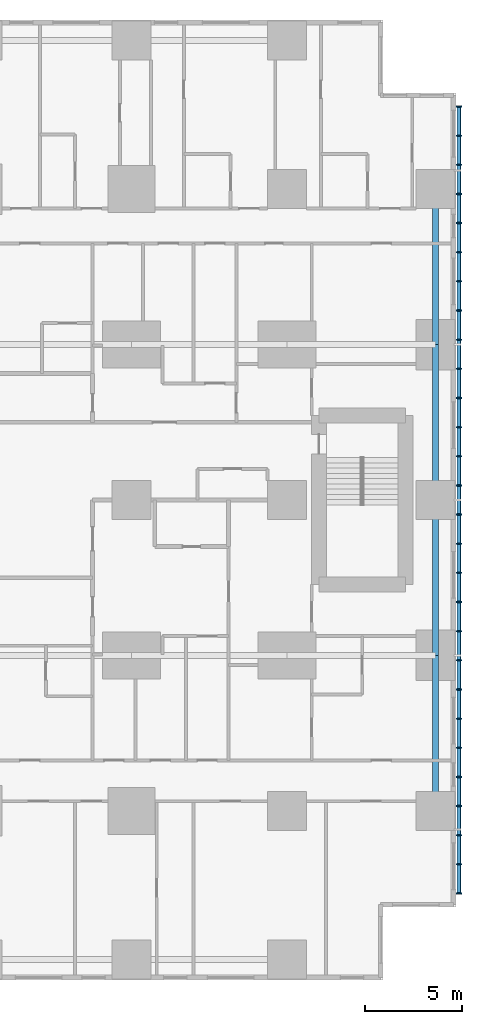
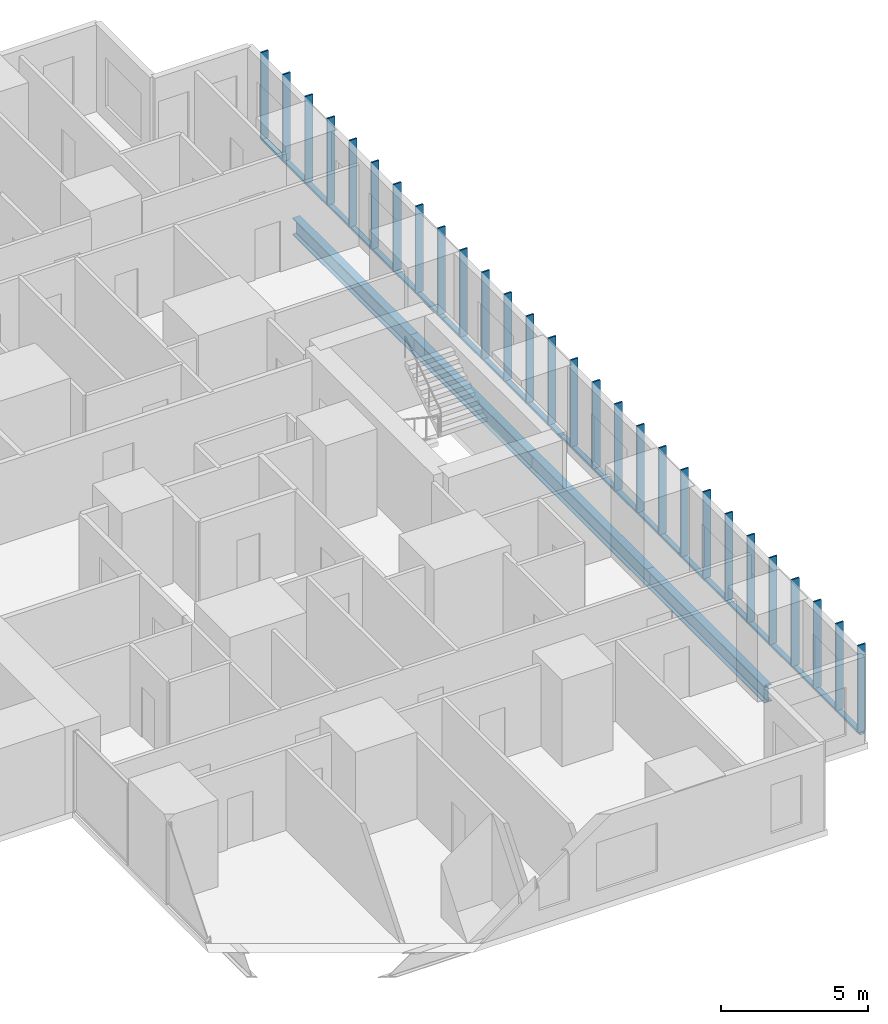
# One storey, part 6 of 21: 32 members, 4 beams.
"""IFC4 building model written with IfcOpenShell, lengths in metres."""

from ifc_helpers import new_model, si_unit, direction, frame, origin, origin_2d, place, context, subcontext, project, spatial, rectangle, hollow_rectangle, i_section, extrude, material, material_profile, profile_set, type_object, element, save


model = new_model("IFC4")

# Units and contexts
model_context = context("Model", 3, precision=1e-05, world=origin(), true_north=direction((0.0, 1.0)))
body_context = subcontext(model_context, "Body", "Model", "MODEL_VIEW")
ifc_project = project(units=[si_unit("LENGTHUNIT", "METRE"), si_unit("AREAUNIT", "SQUARE_METRE"), si_unit("VOLUMEUNIT", "CUBIC_METRE"), si_unit("PLANEANGLEUNIT", "RADIAN"), si_unit("MASSUNIT", "GRAM", prefix="KILO")], contexts=[model_context])

# Site, building, storey
site_placement = place(None, origin())
site = spatial("IfcSite", under=ifc_project, at=site_placement, CompositionType="ELEMENT")
building_placement = place(site_placement, origin())
building = spatial("IfcBuilding", under=site, at=building_placement, Name="Cleftline Residences", CompositionType="ELEMENT")
storey_placement = place(building_placement, frame((0.0, 0.0, 58.39990234375)))
storey = spatial("IfcBuildingStorey", under=building, at=storey_placement, Name="L14", CompositionType="ELEMENT", Elevation=58.39990234375)

# Members
ifc_material_1 = material(Name="Steel S355, hot-dip galvanised", Category="steel")
ifc_material_profile_1 = material_profile(ifc_material_1, hollow_rectangle(XDim=0.10009765625, YDim=0.199951171875, WallThickness=0.008056640625, InnerFilletRadius=0.008056640625, OuterFilletRadius=0.011962890625, at=origin_2d()))
ifc_profile_set_1 = profile_set([ifc_material_profile_1], Name="Steel S355, hot-dip galvanised")
member_type_1 = type_object("IfcMemberType", Name="BAGUETTE CARRIER RHS 200X100X8", PredefinedType="USERDEFINED", material=ifc_profile_set_1)
member_1_placement = place(storey_placement, frame((66.85009765625, 3.699951171875, -0.0498046875), z_axis=(0.0, 1.0, 0.0), x_axis=(0.0, 0.0, 1.0)))
element("IfcMember", 1, at=member_1_placement, inside=storey, type_object=member_type_1, Name="Baguette carrier", ObjectType="BAGUETTE CARRIER", PredefinedType="USERDEFINED", context=body_context, shape_type="SweptSolid", body=[
    extrude(hollow_rectangle(XDim=0.10009765625, YDim=0.199951171875, WallThickness=0.008056640625, InnerFilletRadius=0.008056640625, OuterFilletRadius=0.011962890625, at=origin_2d()), origin(), (0.0, 0.0, 1.0), 12.300048828125),
])
for number, where, z_axis, x_axis, name in (
    (2, (66.85009765625, 16.0, -0.0498046875), (0.0, 1.0, 0.0), (0.0, 0.0, 1.0), "Baguette carrier"),
    (3, (66.85009765625, 24.0, -0.0498046875), (0.0, 1.0, 0.0), (0.0, 0.0, 1.0), "Baguette carrier"),
):
    element("IfcMember", number, at=place(storey_placement, frame(where, z_axis=z_axis, x_axis=x_axis)), inside=storey, type_object=member_type_1, Name=name, ObjectType="BAGUETTE CARRIER", PredefinedType="USERDEFINED", context=body_context, shape_type="SweptSolid", body=[
        extrude(hollow_rectangle(XDim=0.10009765625, YDim=0.199951171875, WallThickness=0.008056640625, InnerFilletRadius=0.008056640625, OuterFilletRadius=0.011962890625, at=origin_2d()), origin(), (0.0, 0.0, 1.0), 8.0),
    ])
member_2_placement = place(storey_placement, frame((66.85009765625, 32.0, -0.0498046875), z_axis=(0.0, 1.0, 0.0), x_axis=(0.0, 0.0, 1.0)))
element("IfcMember", 4, at=member_2_placement, inside=storey, type_object=member_type_1, Name="Baguette carrier", ObjectType="BAGUETTE CARRIER", PredefinedType="USERDEFINED", context=body_context, shape_type="SweptSolid", body=[
    extrude(hollow_rectangle(XDim=0.10009765625, YDim=0.199951171875, WallThickness=0.008056640625, InnerFilletRadius=0.008056640625, OuterFilletRadius=0.011962890625, at=origin_2d()), origin(), (0.0, 0.0, 1.0), 12.300048828125),
])

# Beams
ifc_material_2 = material(Name="Steel S355", Category="steel")
ifc_material_profile_2 = material_profile(ifc_material_2, i_section(OverallWidth=0.300048828125, OverallDepth=0.699951171875, WebThickness=0.01708984375, FlangeThickness=0.031982421875, FilletRadius=0.027099609375, at=origin_2d()))
ifc_profile_set_2 = profile_set([ifc_material_profile_2], Name="Steel S355")
beam_type = type_object("IfcBeamType", Name="BEAM HEB 700", PredefinedType="BEAM", material=ifc_profile_set_2)
for number, where, z_axis, x_axis, name in (
    (5, (65.64990234375, 8.0, -0.599853515625), (0.0, 1.0, 0.0), (-1.0, 0.0, 0.0), "Edge beam"),
    (6, (65.64990234375, 16.0, -0.599853515625), (0.0, 1.0, 0.0), (-1.0, 0.0, 0.0), "Edge beam"),
    (7, (65.64990234375, 24.0, -0.599853515625), (0.0, 1.0, 0.0), (-1.0, 0.0, 0.0), "Edge beam"),
    (8, (65.64990234375, 32.0, -0.599853515625), (0.0, 1.0, 0.0), (-1.0, 0.0, 0.0), "Edge beam"),
):
    element("IfcBeam", number, at=place(storey_placement, frame(where, z_axis=z_axis, x_axis=x_axis)), inside=storey, type_object=beam_type, Name=name, PredefinedType="BEAM", context=body_context, shape_type="SweptSolid", body=[
        extrude(i_section(OverallWidth=0.300048828125, OverallDepth=0.699951171875, WebThickness=0.01708984375, FlangeThickness=0.031982421875, FilletRadius=0.027099609375, at=origin_2d()), origin(), (0.0, 0.0, 1.0), 8.0),
    ])

# Members
ifc_material_3 = material(Name="Extruded terracotta", Category="masonry")
ifc_material_profile_3 = material_profile(ifc_material_3, rectangle(XDim=0.06005859375, YDim=0.300048828125, at=origin_2d()))
ifc_profile_set_3 = profile_set([ifc_material_profile_3], Name="Extruded terracotta")
member_type_2 = type_object("IfcMemberType", Name="TERRACOTTA BAGUETTE 60X300", PredefinedType="USERDEFINED", material=ifc_profile_set_3)
for number, where, z_axis, x_axis, name in (
    (9, (66.85009765625, 3.75, 0.0), (0.0, 0.0, 1.0), (0.0, 1.0, 0.0), "Terracotta baguette"),
    (10, (66.85009765625, 5.25, 0.0), (0.0, 0.0, 1.0), (0.0, 1.0, 0.0), "Terracotta baguette"),
    (11, (66.85009765625, 6.75, 0.0), (0.0, 0.0, 1.0), (0.0, 1.0, 0.0), "Terracotta baguette"),
    (12, (66.85009765625, 8.25, 0.0), (0.0, 0.0, 1.0), (0.0, 1.0, 0.0), "Terracotta baguette"),
    (13, (66.85009765625, 9.75, 0.0), (0.0, 0.0, 1.0), (0.0, 1.0, 0.0), "Terracotta baguette"),
    (14, (66.85009765625, 11.25, 0.0), (0.0, 0.0, 1.0), (0.0, 1.0, 0.0), "Terracotta baguette"),
    (15, (66.85009765625, 12.75, 0.0), (0.0, 0.0, 1.0), (0.0, 1.0, 0.0), "Terracotta baguette"),
    (16, (66.85009765625, 14.25, 0.0), (0.0, 0.0, 1.0), (0.0, 1.0, 0.0), "Terracotta baguette"),
    (17, (66.85009765625, 15.75, 0.0), (0.0, 0.0, 1.0), (0.0, 1.0, 0.0), "Terracotta baguette"),
    (18, (66.85009765625, 17.25, 0.0), (0.0, 0.0, 1.0), (0.0, 1.0, 0.0), "Terracotta baguette"),
    (19, (66.85009765625, 18.75, 0.0), (0.0, 0.0, 1.0), (0.0, 1.0, 0.0), "Terracotta baguette"),
    (20, (66.85009765625, 20.25, 0.0), (0.0, 0.0, 1.0), (0.0, 1.0, 0.0), "Terracotta baguette"),
    (21, (66.85009765625, 21.75, 0.0), (0.0, 0.0, 1.0), (0.0, 1.0, 0.0), "Terracotta baguette"),
    (22, (66.85009765625, 23.25, 0.0), (0.0, 0.0, 1.0), (0.0, 1.0, 0.0), "Terracotta baguette"),
    (23, (66.85009765625, 24.75, 0.0), (0.0, 0.0, 1.0), (0.0, 1.0, 0.0), "Terracotta baguette"),
    (24, (66.85009765625, 26.25, 0.0), (0.0, 0.0, 1.0), (0.0, 1.0, 0.0), "Terracotta baguette"),
    (25, (66.85009765625, 27.75, 0.0), (0.0, 0.0, 1.0), (0.0, 1.0, 0.0), "Terracotta baguette"),
    (26, (66.85009765625, 29.25, 0.0), (0.0, 0.0, 1.0), (0.0, 1.0, 0.0), "Terracotta baguette"),
    (27, (66.85009765625, 30.75, 0.0), (0.0, 0.0, 1.0), (0.0, 1.0, 0.0), "Terracotta baguette"),
    (28, (66.85009765625, 32.25, 0.0), (0.0, 0.0, 1.0), (0.0, 1.0, 0.0), "Terracotta baguette"),
    (29, (66.85009765625, 33.75, 0.0), (0.0, 0.0, 1.0), (0.0, 1.0, 0.0), "Terracotta baguette"),
    (30, (66.85009765625, 35.25, 0.0), (0.0, 0.0, 1.0), (0.0, 1.0, 0.0), "Terracotta baguette"),
    (31, (66.85009765625, 36.75, 0.0), (0.0, 0.0, 1.0), (0.0, 1.0, 0.0), "Terracotta baguette"),
    (32, (66.85009765625, 38.25, 0.0), (0.0, 0.0, 1.0), (0.0, 1.0, 0.0), "Terracotta baguette"),
    (33, (66.85009765625, 39.75, 0.0), (0.0, 0.0, 1.0), (0.0, 1.0, 0.0), "Terracotta baguette"),
    (34, (66.85009765625, 41.25, 0.0), (0.0, 0.0, 1.0), (0.0, 1.0, 0.0), "Terracotta baguette"),
    (35, (66.85009765625, 42.75, 0.0), (0.0, 0.0, 1.0), (0.0, 1.0, 0.0), "Terracotta baguette"),
    (36, (66.85009765625, 44.25, 0.0), (0.0, 0.0, 1.0), (0.0, 1.0, 0.0), "Terracotta baguette"),
):
    element("IfcMember", number, at=place(storey_placement, frame(where, z_axis=z_axis, x_axis=x_axis)), inside=storey, type_object=member_type_2, Name=name, ObjectType="BAGUETTE", PredefinedType="USERDEFINED", context=body_context, shape_type="SweptSolid", body=[
        extrude(rectangle(XDim=0.06005859375, YDim=0.300048828125, at=origin_2d()), origin(), (0.0, 0.0, 1.0), 3.60009765625),
    ])

save(model, "model.ifc")
